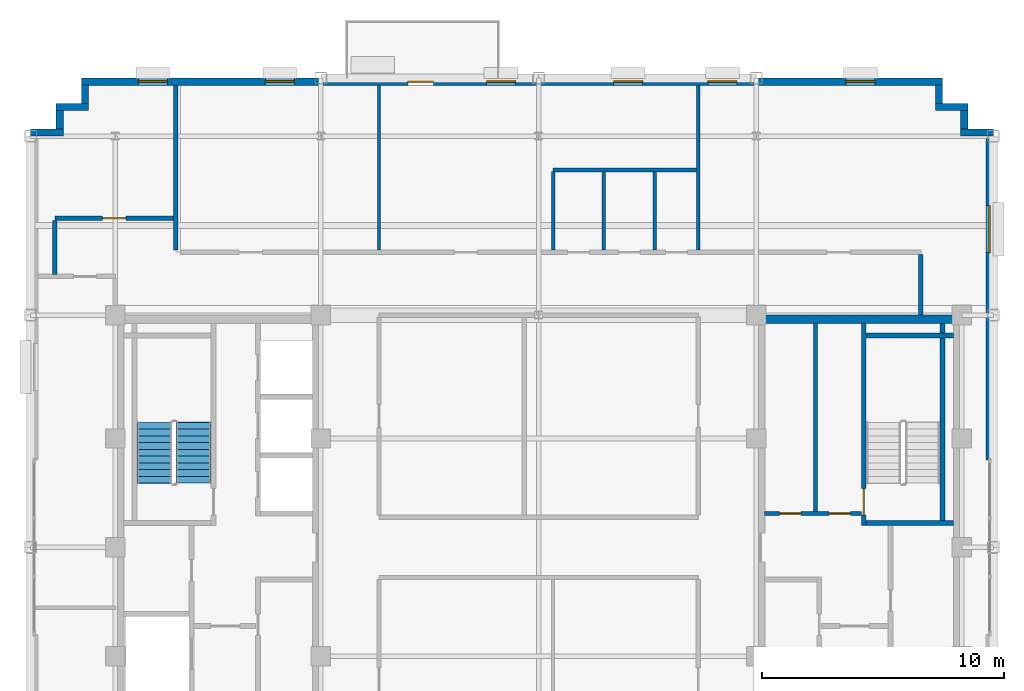
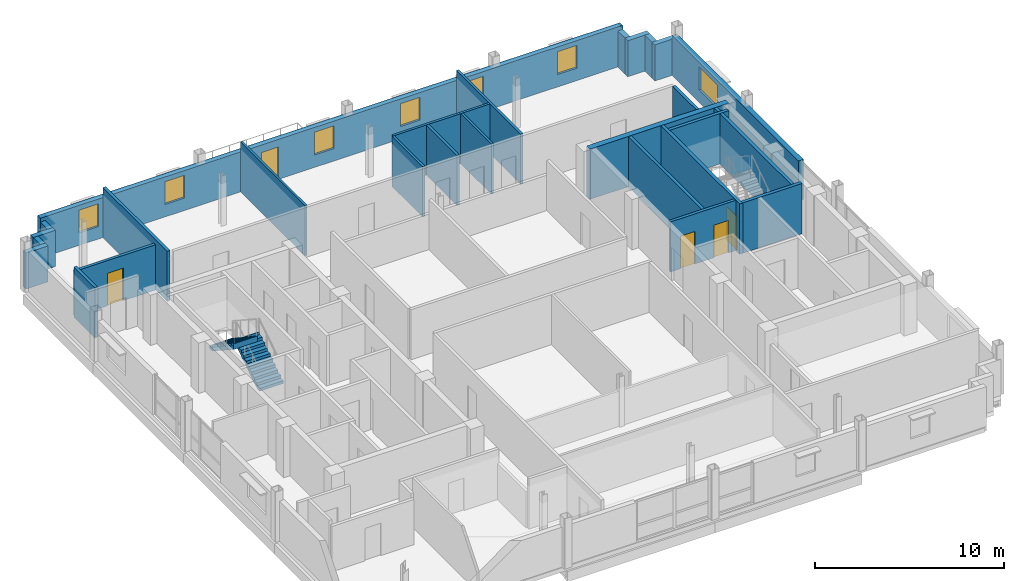
# One storey, part 8 of 16: 27 walls, 7 windows, 5 doors, 2 stair flights, 12 openings, 1 element without a shape of its own.
"""IFC4 building model written with IfcOpenShell, lengths in metres."""

from ifc_helpers import new_model, si_unit, direction, frame, frame_2d, origin, place, context, subcontext, project, spatial, polyline, rectangle, outline, extrude, source, transform, mapped, material, layer, layer_set, type_object, type_shapes, element, fill, aggregate, save


model = new_model("IFC4")

# Units and contexts
model_context = context("Model", 3, precision=1e-05, world=origin(), true_north=direction((0.0, 1.0)))
body_context = subcontext(model_context, "Body", "Model", "MODEL_VIEW")
ifc_project = project(units=[si_unit("LENGTHUNIT", "METRE"), si_unit("AREAUNIT", "SQUARE_METRE"), si_unit("VOLUMEUNIT", "CUBIC_METRE"), si_unit("PLANEANGLEUNIT", "RADIAN"), si_unit("MASSUNIT", "GRAM", prefix="KILO")], contexts=[model_context])

# Site, building, storey
site_placement = place(None, origin())
site = spatial("IfcSite", under=ifc_project, at=site_placement, CompositionType="ELEMENT")
building_placement = place(site_placement, origin())
building = spatial("IfcBuilding", under=site, at=building_placement, Name="Nuvemarco Arch Tower", CompositionType="ELEMENT")
storey_placement = place(building_placement, frame((0.0, 0.0, 249.300048828125)))
storey = spatial("IfcBuildingStorey", under=building, at=storey_placement, Name="L66", CompositionType="ELEMENT", Elevation=249.300048828125)

# Wall, opening, window
ifc_material_1 = material(Name="Precast concrete C45/55", Category="concrete")
ifc_layer_1 = layer(ifc_material_1, 0.300048828125, Name="EW-HIGH-300")
ifc_layer_set_1 = layer_set([ifc_layer_1], Name="Precast concrete C45/55")
wall_type_1 = type_object("IfcWallType", Name="EW-HIGH-300", PredefinedType="STANDARD", material=ifc_layer_set_1)
wall_1_placement = place(storey_placement, frame((18.64990234375, 3.60009765625, 0.0), z_axis=(0.0, 0.0, 1.0), x_axis=(0.0, 1.0, 0.0)))
wall_1 = element("IfcWall", 1, at=wall_1_placement, inside=storey, type_object=wall_type_1, Name="L66 exterior precast pier wall east right", PredefinedType="STANDARD", context=body_context, shape_type="SweptSolid", body=[
    extrude(rectangle(XDim=13.40380859375, YDim=0.300048828125, at=frame_2d((6.701904296875, 0.0))), origin(), (0.0, 0.0, 1.0), 2.5849609375),
])
opening_1_placement = place(wall_1_placement, frame((8.577880859375, 0.0, 0.800048828125)))
opening_1 = element("IfcOpeningElement", 2, at=opening_1_placement, cuts=wall_1, Name="Opening WN-7", PredefinedType="OPENING", context=body_context, shape_type="SweptSolid", body=[
    extrude(rectangle(XDim=1.949951171875, YDim=1.47998046875, at=frame_2d((0.97509765625, 0.739990234375))), frame((0.0, 0.159912109375, 0.0), z_axis=(0.0, -1.0, 0.0), x_axis=(1.0, 0.0, 0.0)), (0.0, 0.0, 1.0), 0.320068359375),
])
ifc_material_2 = material(Name="Insulated solar-control glass", Category="glass")
window_type_1 = type_object("IfcWindowType", Name="WN-HIGH-1950x1480", PartitioningType="DOUBLE_PANEL_VERTICAL", PredefinedType="WINDOW", material=ifc_material_2)
shared_shape_1 = source(origin(), body_context, "Body", "SweptSolid", [
    extrude(rectangle(XDim=1.949951171875, YDim=1.47998046875, at=frame_2d((0.97509765625, 0.739990234375))), frame((0.0, 0.030029296875, 0.0), z_axis=(0.0, -1.0, 0.0), x_axis=(1.0, 0.0, 0.0)), (0.0, 0.0, 1.0), 0.06005859375),
])
type_shapes(window_type_1, [shared_shape_1])
window_1_placement = place(opening_1_placement, origin())
window_1 = element("IfcWindow", 3, at=window_1_placement, inside=storey, type_object=window_type_1, Name="L66 punched facade window 2", OverallHeight=1.47998046875, OverallWidth=1.949951171875, PartitioningType="SINGLE_PANEL", PredefinedType="WINDOW", context=body_context, shape_type="MappedRepresentation", body=[
    mapped(shared_shape_1, transform((0.0, 0.0, 0.0), scale=1.0)),
])
fill(opening_1, window_1)

# Walls
wall_2_placement = place(storey_placement, frame((17.449951171875, 17.14990234375, 0.0), z_axis=(0.0, 0.0, 1.0), x_axis=(1.0, 0.0, 0.0)))
element("IfcWall", 4, at=wall_2_placement, inside=storey, type_object=wall_type_1, Name="L66 exterior precast facade wall 7", PredefinedType="STANDARD", context=body_context, shape_type="SweptSolid", body=[
    extrude(rectangle(XDim=1.35009765625, YDim=0.300048828125, at=frame_2d((0.675048828125, 0.0))), origin(), (0.0, 0.0, 1.0), 2.3349609375),
])
wall_3_placement = place(storey_placement, frame((17.60009765625, 17.2958984375, 0.0), z_axis=(0.0, 0.0, 1.0), x_axis=(0.0, 1.0, 0.0)))
element("IfcWall", 5, at=wall_3_placement, inside=storey, type_object=wall_type_1, Name="L66 exterior precast facade wall 8", PredefinedType="STANDARD", context=body_context, shape_type="SweptSolid", body=[
    extrude(rectangle(XDim=0.758056640625, YDim=0.300048828125, at=frame_2d((0.37890625, 0.0))), origin(), (0.0, 0.0, 1.0), 2.3349609375),
])
wall_4_placement = place(storey_placement, frame((16.39990234375, 18.199951171875, 0.0), z_axis=(0.0, 0.0, 1.0), x_axis=(1.0, 0.0, 0.0)))
element("IfcWall", 6, at=wall_4_placement, inside=storey, type_object=wall_type_1, Name="L66 exterior precast facade wall 9", PredefinedType="STANDARD", context=body_context, shape_type="SweptSolid", body=[
    extrude(rectangle(XDim=1.35009765625, YDim=0.300048828125, at=frame_2d((0.675048828125, 0.0))), origin(), (0.0, 0.0, 1.0), 2.3349609375),
])
wall_5_placement = place(storey_placement, frame((16.550048828125, 18.345947265625, 0.0), z_axis=(0.0, 0.0, 1.0), x_axis=(0.0, 1.0, 0.0)))
element("IfcWall", 7, at=wall_5_placement, inside=storey, type_object=wall_type_1, Name="L66 exterior precast facade wall 10", PredefinedType="STANDARD", context=body_context, shape_type="SweptSolid", body=[
    extrude(rectangle(XDim=0.758056640625, YDim=0.300048828125, at=frame_2d((0.37890625, 0.0))), origin(), (0.0, 0.0, 1.0), 2.3349609375),
])

# Wall, openings, door, windows
wall_6_placement = place(storey_placement, frame((-18.89990234375, 19.25, 0.0), z_axis=(0.0, 0.0, 1.0), x_axis=(1.0, 0.0, 0.0)))
wall_6 = element("IfcWall", 8, at=wall_6_placement, inside=storey, type_object=wall_type_1, Name="L66 exterior precast facade wall 11", PredefinedType="STANDARD", context=body_context, shape_type="SweptSolid", body=[
    extrude(rectangle(XDim=35.599853515625, YDim=0.300048828125, at=frame_2d((17.7998046875, 0.0))), origin(), (0.0, 0.0, 1.0), 2.5849609375),
])
opening_2_placement = place(wall_6_placement, frame((13.5, 0.0, 0.0)))
opening_2 = element("IfcOpeningElement", 9, at=opening_2_placement, cuts=wall_6, Name="Opening ED-5", PredefinedType="OPENING", context=body_context, shape_type="SweptSolid", body=[
    extrude(rectangle(XDim=1.050048828125, YDim=2.10009765625, at=frame_2d((0.52490234375, 1.050048828125))), frame((0.0, 0.159912109375, 0.0), z_axis=(0.0, -1.0, 0.0), x_axis=(1.0, 0.0, 0.0)), (0.0, 0.0, 1.0), 0.320068359375),
])
opening_3_placement = place(wall_6_placement, frame((2.35009765625, 0.0, 0.800048828125)))
opening_3 = element("IfcOpeningElement", 10, at=opening_3_placement, cuts=wall_6, Name="Opening WN-8", PredefinedType="OPENING", context=body_context, shape_type="SweptSolid", body=[
    extrude(rectangle(XDim=1.199951171875, YDim=1.47998046875, at=frame_2d((0.60009765625, 0.739990234375))), frame((0.0, 0.159912109375, 0.0), z_axis=(0.0, -1.0, 0.0), x_axis=(1.0, 0.0, 0.0)), (0.0, 0.0, 1.0), 0.320068359375),
])
opening_4_placement = place(wall_6_placement, frame((7.60009765625, 0.0, 0.800048828125)))
opening_4 = element("IfcOpeningElement", 11, at=opening_4_placement, cuts=wall_6, Name="Opening WN-8", PredefinedType="OPENING", context=body_context, shape_type="SweptSolid", body=[
    extrude(rectangle(XDim=1.199951171875, YDim=1.47998046875, at=frame_2d((0.60009765625, 0.739990234375))), frame((0.0, 0.159912109375, 0.0), z_axis=(0.0, -1.0, 0.0), x_axis=(1.0, 0.0, 0.0)), (0.0, 0.0, 1.0), 0.320068359375),
])
opening_5_placement = place(wall_6_placement, frame((16.75, 0.0, 0.800048828125)))
opening_5 = element("IfcOpeningElement", 12, at=opening_5_placement, cuts=wall_6, Name="Opening WN-8", PredefinedType="OPENING", context=body_context, shape_type="SweptSolid", body=[
    extrude(rectangle(XDim=1.199951171875, YDim=1.47998046875, at=frame_2d((0.60009765625, 0.739990234375))), frame((0.0, 0.159912109375, 0.0), z_axis=(0.0, -1.0, 0.0), x_axis=(1.0, 0.0, 0.0)), (0.0, 0.0, 1.0), 0.320068359375),
])
opening_6_placement = place(wall_6_placement, frame((22.0, 0.0, 0.800048828125)))
opening_6 = element("IfcOpeningElement", 13, at=opening_6_placement, cuts=wall_6, Name="Opening WN-8", PredefinedType="OPENING", context=body_context, shape_type="SweptSolid", body=[
    extrude(rectangle(XDim=1.199951171875, YDim=1.47998046875, at=frame_2d((0.60009765625, 0.739990234375))), frame((0.0, 0.159912109375, 0.0), z_axis=(0.0, -1.0, 0.0), x_axis=(1.0, 0.0, 0.0)), (0.0, 0.0, 1.0), 0.320068359375),
])
opening_7_placement = place(wall_6_placement, frame((25.89990234375, 0.0, 0.800048828125)))
opening_7 = element("IfcOpeningElement", 14, at=opening_7_placement, cuts=wall_6, Name="Opening WN-8", PredefinedType="OPENING", context=body_context, shape_type="SweptSolid", body=[
    extrude(rectangle(XDim=1.199951171875, YDim=1.47998046875, at=frame_2d((0.60009765625, 0.739990234375))), frame((0.0, 0.159912109375, 0.0), z_axis=(0.0, -1.0, 0.0), x_axis=(1.0, 0.0, 0.0)), (0.0, 0.0, 1.0), 0.320068359375),
])
opening_8_placement = place(wall_6_placement, frame((31.60009765625, 0.0, 0.800048828125)))
opening_8 = element("IfcOpeningElement", 15, at=opening_8_placement, cuts=wall_6, Name="Opening WN-8", PredefinedType="OPENING", context=body_context, shape_type="SweptSolid", body=[
    extrude(rectangle(XDim=1.199951171875, YDim=1.47998046875, at=frame_2d((0.60009765625, 0.739990234375))), frame((0.0, 0.159912109375, 0.0), z_axis=(0.0, -1.0, 0.0), x_axis=(1.0, 0.0, 0.0)), (0.0, 0.0, 1.0), 0.320068359375),
])
ifc_material_3 = material(Name="Anodised bronze and laminated glass", Category="glass")
door_type_1 = type_object("IfcDoorType", Name="DR-EXT-TERR", OperationType="NOTDEFINED", PredefinedType="DOOR", material=ifc_material_3)
shared_shape_2 = source(origin(), body_context, "Body", "SweptSolid", [
    extrude(rectangle(XDim=1.050048828125, YDim=2.10009765625, at=frame_2d((0.52490234375, 1.050048828125))), frame((0.0, 0.02490234375, 0.0), z_axis=(0.0, -1.0, 0.0), x_axis=(1.0, 0.0, 0.0)), (0.0, 0.0, 1.0), 0.050048828125),
])
type_shapes(door_type_1, [shared_shape_2])
door_1_placement = place(opening_2_placement, origin())
door_1 = element("IfcDoor", 16, at=door_1_placement, inside=storey, type_object=door_type_1, Name="L66 spiral terrace access door", OperationType="SINGLE_SWING_LEFT", OverallHeight=2.10009765625, OverallWidth=1.050048828125, PredefinedType="DOOR", context=body_context, shape_type="MappedRepresentation", body=[
    mapped(shared_shape_2, transform((0.0, 0.0, 0.0), scale=1.0)),
])
fill(opening_2, door_1)
window_type_2 = type_object("IfcWindowType", Name="WN-HIGH-1200x1480", PartitioningType="SINGLE_PANEL", PredefinedType="WINDOW", material=ifc_material_2)
shared_shape_3 = source(origin(), body_context, "Body", "SweptSolid", [
    extrude(rectangle(XDim=1.199951171875, YDim=1.47998046875, at=frame_2d((0.60009765625, 0.739990234375))), frame((0.0, 0.030029296875, 0.0), z_axis=(0.0, -1.0, 0.0), x_axis=(1.0, 0.0, 0.0)), (0.0, 0.0, 1.0), 0.06005859375),
])
type_shapes(window_type_2, [shared_shape_3])
window_2_placement = place(opening_3_placement, origin())
window_2 = element("IfcWindow", 17, at=window_2_placement, inside=storey, type_object=window_type_2, Name="L66 punched facade window 1", OverallHeight=1.47998046875, OverallWidth=1.199951171875, PartitioningType="SINGLE_PANEL", PredefinedType="WINDOW", context=body_context, shape_type="MappedRepresentation", body=[
    mapped(shared_shape_3, transform((0.0, 0.0, 0.0), scale=1.0)),
])
fill(opening_3, window_2)
window_3_placement = place(opening_4_placement, origin())
window_3 = element("IfcWindow", 18, at=window_3_placement, inside=storey, type_object=window_type_2, Name="L66 punched facade window 2", OverallHeight=1.47998046875, OverallWidth=1.199951171875, PartitioningType="SINGLE_PANEL", PredefinedType="WINDOW", context=body_context, shape_type="MappedRepresentation", body=[
    mapped(shared_shape_3, transform((0.0, 0.0, 0.0), scale=1.0)),
])
fill(opening_4, window_3)
window_4_placement = place(opening_5_placement, origin())
window_4 = element("IfcWindow", 19, at=window_4_placement, inside=storey, type_object=window_type_2, Name="L66 punched facade window 4", OverallHeight=1.47998046875, OverallWidth=1.199951171875, PartitioningType="SINGLE_PANEL", PredefinedType="WINDOW", context=body_context, shape_type="MappedRepresentation", body=[
    mapped(shared_shape_3, transform((0.0, 0.0, 0.0), scale=1.0)),
])
fill(opening_5, window_4)
window_5_placement = place(opening_6_placement, origin())
window_5 = element("IfcWindow", 20, at=window_5_placement, inside=storey, type_object=window_type_2, Name="L66 punched facade window 5", OverallHeight=1.47998046875, OverallWidth=1.199951171875, PartitioningType="SINGLE_PANEL", PredefinedType="WINDOW", context=body_context, shape_type="MappedRepresentation", body=[
    mapped(shared_shape_3, transform((0.0, 0.0, 0.0), scale=1.0)),
])
fill(opening_6, window_5)
window_6_placement = place(opening_7_placement, origin())
window_6 = element("IfcWindow", 21, at=window_6_placement, inside=storey, type_object=window_type_2, Name="L66 punched facade window 6", OverallHeight=1.47998046875, OverallWidth=1.199951171875, PartitioningType="SINGLE_PANEL", PredefinedType="WINDOW", context=body_context, shape_type="MappedRepresentation", body=[
    mapped(shared_shape_3, transform((0.0, 0.0, 0.0), scale=1.0)),
])
fill(opening_7, window_6)
window_7_placement = place(opening_8_placement, origin())
window_7 = element("IfcWindow", 22, at=window_7_placement, inside=storey, type_object=window_type_2, Name="L66 punched facade window 7", OverallHeight=1.47998046875, OverallWidth=1.199951171875, PartitioningType="SINGLE_PANEL", PredefinedType="WINDOW", context=body_context, shape_type="MappedRepresentation", body=[
    mapped(shared_shape_3, transform((0.0, 0.0, 0.0), scale=1.0)),
])
fill(opening_8, window_7)

# Walls
wall_7_placement = place(storey_placement, frame((-18.75, 18.345947265625, 0.0), z_axis=(0.0, 0.0, 1.0), x_axis=(0.0, 1.0, 0.0)))
element("IfcWall", 23, at=wall_7_placement, inside=storey, type_object=wall_type_1, Name="L66 exterior precast facade wall 12", PredefinedType="STANDARD", context=body_context, shape_type="SweptSolid", body=[
    extrude(rectangle(XDim=0.758056640625, YDim=0.300048828125, at=frame_2d((0.37890625, 0.0))), origin(), (0.0, 0.0, 1.0), 2.3349609375),
])
wall_8_placement = place(storey_placement, frame((-19.949951171875, 18.199951171875, 0.0), z_axis=(0.0, 0.0, 1.0), x_axis=(1.0, 0.0, 0.0)))
element("IfcWall", 24, at=wall_8_placement, inside=storey, type_object=wall_type_1, Name="L66 exterior precast facade wall 13", PredefinedType="STANDARD", context=body_context, shape_type="SweptSolid", body=[
    extrude(rectangle(XDim=1.349853515625, YDim=0.300048828125, at=frame_2d((0.6748046875, 0.0))), origin(), (0.0, 0.0, 1.0), 2.3349609375),
])
wall_9_placement = place(storey_placement, frame((-19.800048828125, 17.2958984375, 0.0), z_axis=(0.0, 0.0, 1.0), x_axis=(0.0, 1.0, 0.0)))
element("IfcWall", 25, at=wall_9_placement, inside=storey, type_object=wall_type_1, Name="L66 exterior precast facade wall 14", PredefinedType="STANDARD", context=body_context, shape_type="SweptSolid", body=[
    extrude(rectangle(XDim=0.758056640625, YDim=0.300048828125, at=frame_2d((0.37890625, 0.0))), origin(), (0.0, 0.0, 1.0), 2.3349609375),
])
wall_10_placement = place(storey_placement, frame((-21.0, 17.14990234375, 0.0), z_axis=(0.0, 0.0, 1.0), x_axis=(1.0, 0.0, 0.0)))
element("IfcWall", 26, at=wall_10_placement, inside=storey, type_object=wall_type_1, Name="L66 exterior precast facade wall 15", PredefinedType="STANDARD", context=body_context, shape_type="SweptSolid", body=[
    extrude(rectangle(XDim=1.35009765625, YDim=0.300048828125, at=frame_2d((0.675048828125, 0.0))), origin(), (0.0, 0.0, 1.0), 2.3349609375),
])
ifc_material_4 = material(Name="Concrete C50/60", Category="concrete")
ifc_layer_2 = layer(ifc_material_4, 0.35009765625, Name="WL-CORE-350")
ifc_layer_set_2 = layer_set([ifc_layer_2], Name="Concrete C50/60")
wall_type_2 = type_object("IfcWallType", Name="WL-CORE-350", PredefinedType="SHEAR", material=ifc_layer_set_2)
wall_11_placement = place(storey_placement, frame((9.0, 9.425048828125, 0.0), z_axis=(0.0, 0.0, 1.0), x_axis=(1.0, 0.0, 0.0)))
element("IfcWall", 27, at=wall_11_placement, inside=storey, type_object=wall_type_2, Name="L66 E-core shear wall N", PredefinedType="SHEAR", context=body_context, shape_type="SweptSolid", body=[
    extrude(rectangle(XDim=8.5, YDim=0.35009765625, at=frame_2d((4.25, 0.0))), origin(), (0.0, 0.0, 1.0), 3.25),
])

# Wall, openings, doors
ifc_material_5 = material(Name="Fire-rated gypsum drywall partition")
ifc_layer_3 = layer(ifc_material_5, 0.179931640625, Name="WL-CORR-180")
ifc_layer_set_3 = layer_set([ifc_layer_3], Name="Fire-rated gypsum drywall partition")
wall_type_3 = type_object("IfcWallType", Name="WL-CORR-180", PredefinedType="PARTITIONING", material=ifc_layer_set_3)
wall_12_placement = place(storey_placement, frame((9.344970703125, 1.39990234375, 0.0), z_axis=(0.0, 0.0, 1.0), x_axis=(1.0, 0.0, 0.0)))
wall_12 = element("IfcWall", 28, at=wall_12_placement, inside=storey, type_object=wall_type_3, Name="L66 interior wall IW-L66-EK-S", PredefinedType="PARTITIONING", context=body_context, shape_type="SweptSolid", body=[
    extrude(rectangle(XDim=4.0, YDim=0.179931640625, at=frame_2d((2.0, 0.0))), origin(), (0.0, 0.0, 1.0), 3.239990234375),
])
opening_9_placement = place(wall_12_placement, frame((0.614990234375, 0.0, 0.0)))
opening_9 = element("IfcOpeningElement", 29, at=opening_9_placement, cuts=wall_12, Name="Opening FD-4", PredefinedType="OPENING", context=body_context, shape_type="SweptSolid", body=[
    extrude(rectangle(XDim=0.8798828125, YDim=2.10009765625, at=frame_2d((0.43994140625, 1.050048828125))), frame((0.0, 0.099853515625, 0.0), z_axis=(0.0, -1.0, 0.0), x_axis=(1.0, 0.0, 0.0)), (0.0, 0.0, 1.0), 0.199951171875),
])
opening_10_placement = place(wall_12_placement, frame((2.6650390625, 0.0, 0.0)))
opening_10 = element("IfcOpeningElement", 30, at=opening_10_placement, cuts=wall_12, Name="Opening FD-4", PredefinedType="OPENING", context=body_context, shape_type="SweptSolid", body=[
    extrude(rectangle(XDim=0.8798828125, YDim=2.10009765625, at=frame_2d((0.43994140625, 1.050048828125))), frame((0.0, 0.099853515625, 0.0), z_axis=(0.0, -1.0, 0.0), x_axis=(1.0, 0.0, 0.0)), (0.0, 0.0, 1.0), 0.199951171875),
])
ifc_material_6 = material(Name="Anodised steel fire door", Category="steel")
door_type_2 = type_object("IfcDoorType", Name="DR-RISER-FD", OperationType="NOTDEFINED", PredefinedType="DOOR", material=ifc_material_6)
shared_shape_4 = source(origin(), body_context, "Body", "SweptSolid", [
    extrude(rectangle(XDim=0.8798828125, YDim=2.10009765625, at=frame_2d((0.43994140625, 1.050048828125))), frame((0.0, 0.02490234375, 0.0), z_axis=(0.0, -1.0, 0.0), x_axis=(1.0, 0.0, 0.0)), (0.0, 0.0, 1.0), 0.050048828125),
])
type_shapes(door_type_2, [shared_shape_4])
door_2_placement = place(opening_9_placement, origin())
door_2 = element("IfcDoor", 31, at=door_2_placement, inside=storey, type_object=door_type_2, Name="L66 door FD-L66-EK2A", OperationType="SINGLE_SWING_LEFT", OverallHeight=2.10009765625, OverallWidth=0.8798828125, PredefinedType="DOOR", context=body_context, shape_type="MappedRepresentation", body=[
    mapped(shared_shape_4, transform((0.0, 0.0, 0.0), scale=1.0)),
])
fill(opening_9, door_2)
door_3_placement = place(opening_10_placement, origin())
door_3 = element("IfcDoor", 32, at=door_3_placement, inside=storey, type_object=door_type_2, Name="L66 door FD-L66-EK2B", OperationType="SINGLE_SWING_RIGHT", OverallHeight=2.10009765625, OverallWidth=0.8798828125, PredefinedType="DOOR", context=body_context, shape_type="MappedRepresentation", body=[
    mapped(shared_shape_4, transform((0.0, 0.0, 0.0), scale=1.0)),
])
fill(opening_10, door_3)

# Wall
wall_13_placement = place(storey_placement, frame((11.449951171875, 1.489990234375, 0.0), z_axis=(0.0, 0.0, 1.0), x_axis=(0.0, 1.0, 0.0)))
element("IfcWall", 33, at=wall_13_placement, inside=storey, type_object=wall_type_3, Name="L66 interior wall IW-L66-EK2", PredefinedType="PARTITIONING", context=body_context, shape_type="SweptSolid", body=[
    extrude(rectangle(XDim=7.764892578125, YDim=0.179931640625, at=frame_2d((3.88232421875, 0.0))), origin(), (0.0, 0.0, 1.0), 3.239990234375),
])

# Wall, opening, door
wall_14_placement = place(storey_placement, frame((-20.0, 13.60009765625, 0.0), z_axis=(0.0, 0.0, 1.0), x_axis=(1.0, 0.0, 0.0)))
wall_14 = element("IfcWall", 34, at=wall_14_placement, inside=storey, type_object=wall_type_3, Name="L66 interior wall IW-L66-016", PredefinedType="PARTITIONING", context=body_context, shape_type="SweptSolid", body=[
    extrude(rectangle(XDim=4.9140625, YDim=0.179931640625, at=frame_2d((2.45703125, 0.0))), origin(), (0.0, 0.0, 1.0), 2.928955078125),
])
opening_11_placement = place(wall_14_placement, frame((1.97705078125, 0.0, 0.0)))
opening_11 = element("IfcOpeningElement", 35, at=opening_11_placement, cuts=wall_14, Name="Opening FD-5", PredefinedType="OPENING", context=body_context, shape_type="SweptSolid", body=[
    extrude(rectangle(XDim=0.9599609375, YDim=2.10009765625, at=frame_2d((0.47998046875, 1.050048828125))), frame((0.0, 0.099853515625, 0.0), z_axis=(0.0, -1.0, 0.0), x_axis=(1.0, 0.0, 0.0)), (0.0, 0.0, 1.0), 0.199951171875),
])
ifc_material_7 = material(Name="Timber fire door", Category="wood")
door_type_3 = type_object("IfcDoorType", Name="DR-CORR-FD", OperationType="NOTDEFINED", PredefinedType="DOOR", material=ifc_material_7)
shared_shape_5 = source(origin(), body_context, "Body", "SweptSolid", [
    extrude(rectangle(XDim=0.9599609375, YDim=2.10009765625, at=frame_2d((0.47998046875, 1.050048828125))), frame((0.0, 0.02490234375, 0.0), z_axis=(0.0, -1.0, 0.0), x_axis=(1.0, 0.0, 0.0)), (0.0, 0.0, 1.0), 0.050048828125),
])
type_shapes(door_type_3, [shared_shape_5])
door_4_placement = place(opening_11_placement, origin())
door_4 = element("IfcDoor", 36, at=door_4_placement, inside=storey, type_object=door_type_3, Name="L66 door DR-L66-N_1", OperationType="SINGLE_SWING_LEFT", OverallHeight=2.10009765625, OverallWidth=0.9599609375, PredefinedType="DOOR", context=body_context, shape_type="MappedRepresentation", body=[
    mapped(shared_shape_5, transform((0.0, 0.0, 0.0), scale=1.0)),
])
fill(opening_11, door_4)

# Walls
wall_15_placement = place(storey_placement, frame((-20.0, 11.285888671875, 0.0), z_axis=(0.0, 0.0, 1.0), x_axis=(0.0, 1.0, 0.0)))
element("IfcWall", 37, at=wall_15_placement, inside=storey, type_object=wall_type_3, Name="L66 interior wall IW-L66-019", PredefinedType="PARTITIONING", context=body_context, shape_type="SweptSolid", body=[
    extrude(rectangle(XDim=2.22802734375, YDim=0.179931640625, at=frame_2d((1.114013671875, 0.0))), origin(), (0.0, 0.0, 1.0), 3.239990234375),
])
wall_16_placement = place(storey_placement, frame((-15.0, 12.285888671875, 0.0), z_axis=(0.0, 0.0, 1.0), x_axis=(0.0, 1.0, 0.0)))
element("IfcWall", 38, at=wall_16_placement, inside=storey, type_object=wall_type_3, Name="L66 interior wall IW-L66-023", PredefinedType="PARTITIONING", context=body_context, shape_type="SweptSolid", body=[
    extrude(rectangle(XDim=6.814208984375, YDim=0.179931640625, at=frame_2d((3.4072265625, 0.0))), origin(), (0.0, 0.0, 1.0), 3.239990234375),
])
wall_17_placement = place(storey_placement, frame((15.800048828125, 9.60009765625, 0.0), z_axis=(0.0, 0.0, 1.0), x_axis=(0.0, 1.0, 0.0)))
element("IfcWall", 39, at=wall_17_placement, inside=storey, type_object=wall_type_3, Name="L66 interior wall IW-L66-038", PredefinedType="PARTITIONING", context=body_context, shape_type="SweptSolid", body=[
    extrude(rectangle(XDim=2.513916015625, YDim=0.179931640625, at=frame_2d((1.2568359375, 0.0))), origin(), (0.0, 0.0, 1.0), 3.239990234375),
])
ifc_material_8 = material(Name="Glazed acoustic office partition")
ifc_layer_4 = layer(ifc_material_8, 0.1298828125, Name="WL-EXEC-130")
ifc_layer_set_4 = layer_set([ifc_layer_4], Name="Glazed acoustic office partition")
wall_type_4 = type_object("IfcWallType", Name="WL-EXEC-130", PredefinedType="PARTITIONING", material=ifc_layer_set_4)
wall_18_placement = place(storey_placement, frame((-6.60009765625, 12.285888671875, 0.0), z_axis=(0.0, 0.0, 1.0), x_axis=(0.0, 1.0, 0.0)))
element("IfcWall", 40, at=wall_18_placement, inside=storey, type_object=wall_type_4, Name="L66 interior wall IW-L66-028", PredefinedType="PARTITIONING", context=body_context, shape_type="SweptSolid", body=[
    extrude(rectangle(XDim=6.814208984375, YDim=0.1298828125, at=frame_2d((3.4072265625, 0.0))), origin(), (0.0, 0.0, 1.0), 3.239990234375),
])

# Wall, opening, door
ifc_layer_5 = layer(ifc_material_4, 0.199951171875, Name="WL-SHAFT-220")
ifc_layer_set_5 = layer_set([ifc_layer_5], Name="Concrete C50/60")
wall_type_5 = type_object("IfcWallType", Name="WL-SHAFT-220", PredefinedType="SHEAR", material=ifc_layer_set_5)
wall_19_placement = place(storey_placement, frame((13.43994140625, 0.89990234375, 0.0), z_axis=(0.0, 0.0, 1.0), x_axis=(0.0, 1.0, 0.0)))
wall_19 = element("IfcWall", 41, at=wall_19_placement, inside=storey, type_object=wall_type_5, Name="L66 structural shaft wall SW-L66-E-ST2W", PredefinedType="SHEAR", context=body_context, shape_type="SweptSolid", body=[
    extrude(rectangle(XDim=8.35498046875, YDim=0.199951171875, at=frame_2d((4.177490234375, 0.0))), origin(), (0.0, 0.0, 1.0), 3.25),
])
opening_12_placement = place(wall_19_placement, frame((0.429931640625, 0.0, 0.0)))
opening_12 = element("IfcOpeningElement", 42, at=opening_12_placement, cuts=wall_19, Name="Opening FD-1", PredefinedType="OPENING", context=body_context, shape_type="SweptSolid", body=[
    extrude(rectangle(XDim=1.10009765625, YDim=2.14990234375, at=frame_2d((0.550048828125, 1.074951171875))), frame((0.0, 0.10986328125, 0.0), z_axis=(0.0, -1.0, 0.0), x_axis=(1.0, 0.0, 0.0)), (0.0, 0.0, 1.0), 0.219970703125),
])
door_type_4 = type_object("IfcDoorType", Name="DR-STAIR-FD", OperationType="NOTDEFINED", PredefinedType="DOOR", material=ifc_material_6)
shared_shape_6 = source(origin(), body_context, "Body", "SweptSolid", [
    extrude(rectangle(XDim=1.10009765625, YDim=2.14990234375, at=frame_2d((0.550048828125, 1.074951171875))), frame((0.0, 0.02490234375, 0.0), z_axis=(0.0, -1.0, 0.0), x_axis=(1.0, 0.0, 0.0)), (0.0, 0.0, 1.0), 0.050048828125),
])
type_shapes(door_type_4, [shared_shape_6])
door_5_placement = place(opening_12_placement, origin())
door_5 = element("IfcDoor", 43, at=door_5_placement, inside=storey, type_object=door_type_4, Name="L66 door FD-L66-ST2", OperationType="SINGLE_SWING_RIGHT", OverallHeight=2.14990234375, OverallWidth=1.10009765625, PredefinedType="DOOR", context=body_context, shape_type="MappedRepresentation", body=[
    mapped(shared_shape_6, transform((0.0, 0.0, 0.0), scale=1.0)),
])
fill(opening_12, door_5)

# Walls
for number, where, z_axis, x_axis, name in (
    (44, (13.534912109375, 1.0, 0.0), (0.0, 0.0, 1.0), (1.0, 0.0, 0.0), "L66 structural shaft wall SW-L66-E-ST2S"),
    (45, (13.534912109375, 8.75, 0.0), (0.0, 0.0, 1.0), (1.0, 0.0, 0.0), "L66 structural shaft wall SW-L66-E-ST2N"),
):
    element("IfcWall", number, at=place(storey_placement, frame(where, z_axis=z_axis, x_axis=x_axis)), inside=storey, type_object=wall_type_5, Name=name, PredefinedType="SHEAR", context=body_context, shape_type="SweptSolid", body=[
        extrude(rectangle(XDim=3.6201171875, YDim=0.199951171875, at=frame_2d((1.81005859375, 0.0))), origin(), (0.0, 0.0, 1.0), 3.25),
    ])
wall_20_placement = place(storey_placement, frame((16.699951171875, 1.094970703125, 0.0), z_axis=(0.0, 0.0, 1.0), x_axis=(0.0, 1.0, 0.0)))
element("IfcWall", 46, at=wall_20_placement, inside=storey, type_object=wall_type_5, Name="L66 structural shaft wall SW-L66-E-ST2E", PredefinedType="SHEAR", context=body_context, shape_type="SweptSolid", body=[
    extrude(rectangle(XDim=8.159912109375, YDim=0.199951171875, at=frame_2d((4.080078125, 0.0))), origin(), (0.0, 0.0, 1.0), 3.25),
])
ifc_material_9 = material(Name="Moisture-resistant gypsum partition")
ifc_layer_6 = layer(ifc_material_9, 0.14990234375, Name="WL-WET-150")
ifc_layer_set_6 = layer_set([ifc_layer_6], Name="Moisture-resistant gypsum partition")
wall_type_6 = type_object("IfcWallType", Name="WL-WET-150", PredefinedType="PARTITIONING", material=ifc_layer_set_6)
wall_21_placement = place(storey_placement, frame((0.60009765625, 15.60009765625, 0.0), z_axis=(0.0, 0.0, 1.0), x_axis=(1.0, 0.0, 0.0)))
element("IfcWall", 47, at=wall_21_placement, inside=storey, type_object=wall_type_6, Name="L66 interior wall IW-L66-017", PredefinedType="PARTITIONING", context=body_context, shape_type="SweptSolid", body=[
    extrude(rectangle(XDim=5.928955078125, YDim=0.14990234375, at=frame_2d((2.96435546875, 0.0))), origin(), (0.0, 0.0, 1.0), 3.239990234375),
])
for number, where, z_axis, x_axis, name in (
    (48, (0.60009765625, 12.285888671875, 0.0), (0.0, 0.0, 1.0), (0.0, 1.0, 0.0), "L66 interior wall IW-L66-031"),
    (49, (2.699951171875, 12.285888671875, 0.0), (0.0, 0.0, 1.0), (0.0, 1.0, 0.0), "L66 interior wall IW-L66-032"),
    (50, (4.800048828125, 12.285888671875, 0.0), (0.0, 0.0, 1.0), (0.0, 1.0, 0.0), "L66 interior wall IW-L66-033"),
):
    element("IfcWall", number, at=place(storey_placement, frame(where, z_axis=z_axis, x_axis=x_axis)), inside=storey, type_object=wall_type_6, Name=name, PredefinedType="PARTITIONING", context=body_context, shape_type="SweptSolid", body=[
        extrude(rectangle(XDim=3.2431640625, YDim=0.14990234375, at=frame_2d((1.62158203125, 0.0))), origin(), (0.0, 0.0, 1.0), 3.239990234375),
    ])
wall_22_placement = place(storey_placement, frame((6.60009765625, 12.285888671875, 0.0), z_axis=(0.0, 0.0, 1.0), x_axis=(0.0, 1.0, 0.0)))
element("IfcWall", 51, at=wall_22_placement, inside=storey, type_object=wall_type_6, Name="L66 interior wall IW-L66-036", PredefinedType="PARTITIONING", context=body_context, shape_type="SweptSolid", body=[
    extrude(rectangle(XDim=6.814208984375, YDim=0.14990234375, at=frame_2d((3.4072265625, 0.0))), origin(), (0.0, 0.0, 1.0), 3.239990234375),
])

# Stair, stair flights
stair_type = type_object("IfcStairType", Name="ST-CORE-20R", PredefinedType="HALF_TURN_STAIR", material=ifc_material_1)
stair_placement = place(storey_placement, origin())
stair = element("IfcStair", 52, at=stair_placement, inside=storey, type_object=stair_type, Name="L66 Protected Exit Stair ST-1", PredefinedType="HALF_TURN_STAIR")
stair_flight_type = type_object("IfcStairFlightType", Name="SF-CORE-20R", PredefinedType="STRAIGHT", material=ifc_material_1)
stair_flight_1_placement = place(storey_placement, frame((-14.264892578125, 2.64990234375, 0.0), z_axis=(0.0, 0.0, 1.0), x_axis=(0.0, 1.0, 0.0)))
stair_flight_1 = element("IfcStairFlight", 53, at=stair_flight_1_placement, type_object=stair_flight_type, Name="ST-20R flight 1", NumberOfRisers=10, NumberOfTreads=9, PredefinedType="STRAIGHT", RiserHeight=0.1825, TreadLength=0.28, context=body_context, shape_type="SweptSolid", body=[
    extrude(outline(polyline([(0.0, 0.0), (0.0, 0.1826171875), (0.280029296875, 0.1826171875), (0.280029296875, 0.364990234375), (0.56005859375, 0.364990234375), (0.56005859375, 0.547607421875), (0.840087890625, 0.547607421875), (0.840087890625, 0.72998046875), (1.1201171875, 0.72998046875), (1.1201171875, 0.91259765625), (1.39990234375, 0.91259765625), (1.39990234375, 1.094970703125), (1.679931640625, 1.094970703125), (1.679931640625, 1.277587890625), (1.9599609375, 1.277587890625), (1.9599609375, 1.4599609375), (2.239990234375, 1.4599609375), (2.239990234375, 1.642578125), (2.52001953125, 1.642578125), (2.52001953125, 1.824951171875), (2.5400390625, 1.824951171875), (2.5400390625, 1.45166015625), (0.312744140625, 0.0), (0.0, 0.0)])), frame((0.0, 0.72509765625, 0.0), z_axis=(0.0, -1.0, 0.0), x_axis=(1.0, 0.0, 0.0)), (0.0, 0.0, 1.0), 1.449951171875),
])
stair_flight_2_placement = place(storey_placement, frame((-15.875, 5.169921875, 1.824951171875), z_axis=(0.0, 0.0, 1.0), x_axis=(0.0, -1.0, 0.0)))
stair_flight_2 = element("IfcStairFlight", 54, at=stair_flight_2_placement, type_object=stair_flight_type, Name="ST-20R flight 2", NumberOfRisers=10, NumberOfTreads=9, PredefinedType="STRAIGHT", RiserHeight=0.1825, TreadLength=0.28, context=body_context, shape_type="SweptSolid", body=[
    extrude(outline(polyline([(0.0, 0.0), (0.0, 0.1826171875), (0.280029296875, 0.1826171875), (0.280029296875, 0.364990234375), (0.56005859375, 0.364990234375), (0.56005859375, 0.547607421875), (0.840087890625, 0.547607421875), (0.840087890625, 0.72998046875), (1.1201171875, 0.72998046875), (1.1201171875, 0.91259765625), (1.39990234375, 0.91259765625), (1.39990234375, 1.094970703125), (1.679931640625, 1.094970703125), (1.679931640625, 1.277587890625), (1.9599609375, 1.277587890625), (1.9599609375, 1.4599609375), (2.239990234375, 1.4599609375), (2.239990234375, 1.642578125), (2.52001953125, 1.642578125), (2.52001953125, 1.824951171875), (2.5400390625, 1.824951171875), (2.5400390625, 1.45166015625), (0.312744140625, 0.0), (0.0, 0.0)])), frame((0.0, 0.72509765625, 0.0), z_axis=(0.0, -1.0, 0.0), x_axis=(1.0, 0.0, 0.0)), (0.0, 0.0, 1.0), 1.449951171875),
])
aggregate(stair, [stair_flight_1, stair_flight_2])

save(model, "model.ifc")
